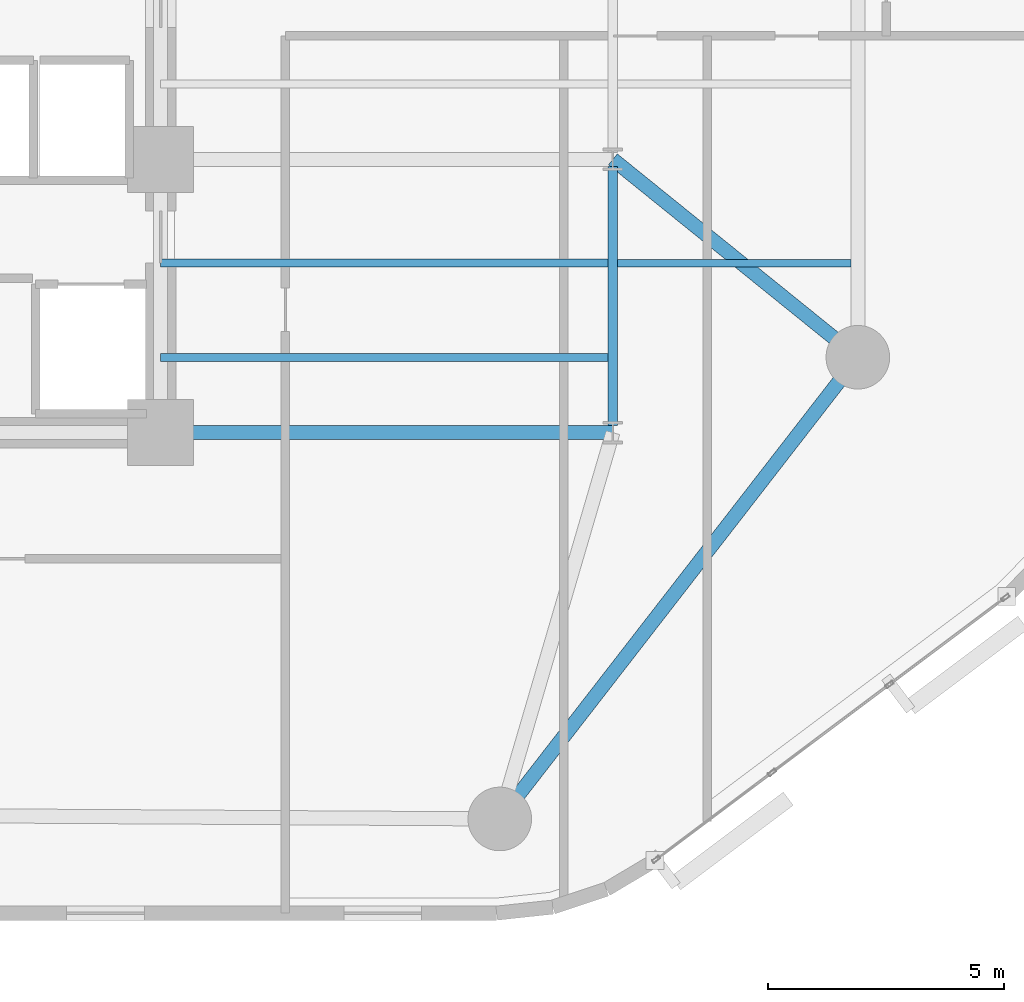
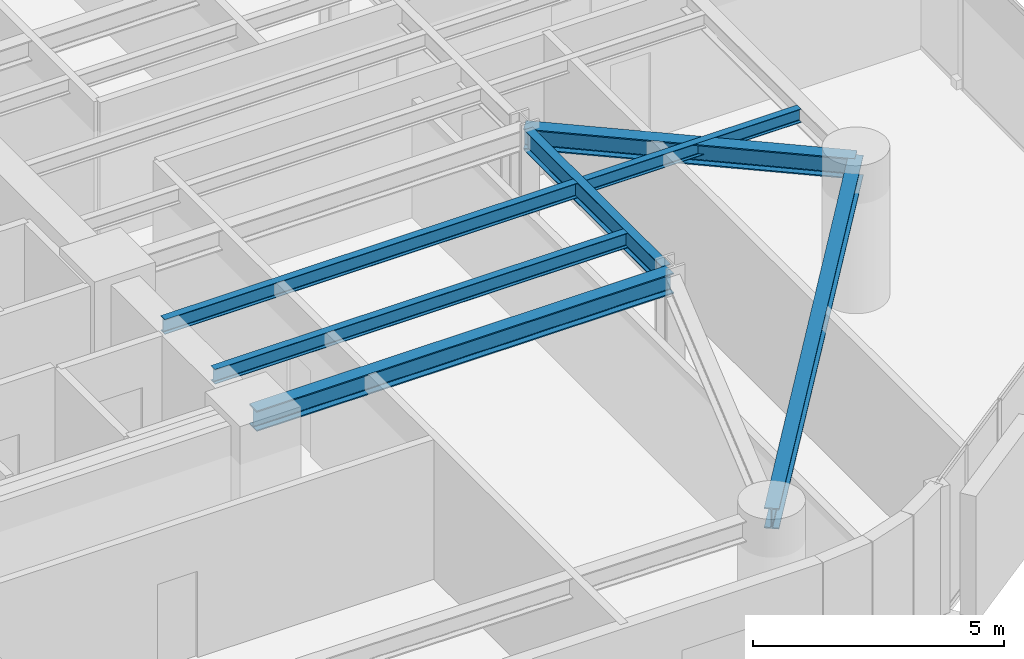
# One storey, part 3 of 16: 7 beams.
"""IFC4 building model written with IfcOpenShell, lengths in metres."""

from ifc_helpers import new_model, si_unit, direction, frame, origin, origin_2d, place, context, subcontext, project, spatial, i_section, extrude, material, material_profile, profile_set, type_object, element, save


model = new_model("IFC4")

# Units and contexts
model_context = context("Model", 3, precision=1e-05, world=origin(), true_north=direction((0.0, 1.0)))
body_context = subcontext(model_context, "Body", "Model", "MODEL_VIEW")
ifc_project = project(units=[si_unit("LENGTHUNIT", "METRE"), si_unit("AREAUNIT", "SQUARE_METRE"), si_unit("VOLUMEUNIT", "CUBIC_METRE"), si_unit("PLANEANGLEUNIT", "RADIAN"), si_unit("MASSUNIT", "GRAM", prefix="KILO")], contexts=[model_context])

# Site, building, storey
site_placement = place(None, origin())
site = spatial("IfcSite", under=ifc_project, at=site_placement, CompositionType="ELEMENT")
building_placement = place(site_placement, origin())
building = spatial("IfcBuilding", under=site, at=building_placement, Name="An Khanh Terracotta Commons", CompositionType="ELEMENT")
storey_placement = place(building_placement, frame((0.0, 0.0, 118.699951171875)))
storey = spatial("IfcBuildingStorey", under=building, at=storey_placement, Name="L31", CompositionType="ELEMENT", Elevation=118.699951171875)

# Beams
ifc_material = material(Name="Steel S355J2", Category="steel")
ifc_material_profile_1 = material_profile(ifc_material, i_section(OverallWidth=0.300048828125, OverallDepth=0.5, WebThickness=0.014404296875, FlangeThickness=0.028076171875, FilletRadius=0.027099609375, at=origin_2d()), Name="HEB500")
ifc_profile_set_1 = profile_set([ifc_material_profile_1], Name="Steel S355J2")
beam_type_1 = type_object("IfcBeamType", Name="BM-HEB500", PredefinedType="BEAM", material=ifc_profile_set_1)
beam_1_placement = place(storey_placement, frame((44.39990234375, 6.199951171875, 3.150146484375), z_axis=(0.612826529795, 0.790217466511, 0.0), x_axis=(-0.790217466511, 0.612826529795, 0.0)))
element("IfcBeam", 1, at=beam_1_placement, inside=storey, type_object=beam_type_1, Name="L31 Perimeter Ring Spandrel 2", PredefinedType="BEAM", context=body_context, shape_type="SweptSolid", body=[
    extrude(i_section(OverallWidth=0.300048828125, OverallDepth=0.5, WebThickness=0.014404296875, FlangeThickness=0.028076171875, FilletRadius=0.027099609375, at=origin_2d()), origin(), (0.0, 0.0, 1.0), 12.401611328125),
])
beam_2_placement = place(storey_placement, frame((37.199951171875, 14.39990234375, 3.150146484375), z_axis=(1.0, 0.0, 0.0), x_axis=(0.0, 1.0, 0.0)))
element("IfcBeam", 2, at=beam_2_placement, inside=storey, type_object=beam_type_1, Name="L31 East Primary Floor Girder 1", PredefinedType="BEAM", context=body_context, shape_type="SweptSolid", body=[
    extrude(i_section(OverallWidth=0.300048828125, OverallDepth=0.5, WebThickness=0.014404296875, FlangeThickness=0.028076171875, FilletRadius=0.027099609375, at=origin_2d()), origin(), (0.0, 0.0, 1.0), 9.60009765625),
])
beam_3_placement = place(storey_placement, frame((52.0, 16.0, 3.150146484375), z_axis=(-0.777941866883, 0.628336256913, 0.0), x_axis=(-0.628336256913, -0.777941866883, 0.0)))
element("IfcBeam", 3, at=beam_3_placement, inside=storey, type_object=beam_type_1, Name="L31 Mega-Column Tie Girder 3", PredefinedType="BEAM", context=body_context, shape_type="SweptSolid", body=[
    extrude(i_section(OverallWidth=0.300048828125, OverallDepth=0.5, WebThickness=0.014404296875, FlangeThickness=0.028076171875, FilletRadius=0.027099609375, at=origin_2d()), origin(), (0.0, 0.0, 1.0), 6.684326171875),
])
ifc_material_profile_2 = material_profile(ifc_material, i_section(OverallWidth=0.159912109375, OverallDepth=0.330078125, WebThickness=0.007568359375, FlangeThickness=0.011474609375, FilletRadius=0.01806640625, at=origin_2d()), Name="IPE330")
ifc_profile_set_2 = profile_set([ifc_material_profile_2], Name="Steel S355J2")
beam_type_2 = type_object("IfcBeamType", Name="BM-IPE330", PredefinedType="JOIST", material=ifc_profile_set_2)
beam_4_placement = place(storey_placement, frame((46.89990234375, 18.0, 3.235107421875), z_axis=(1.0, 0.0, 0.0), x_axis=(0.0, 1.0, 0.0)))
element("IfcBeam", 4, at=beam_4_placement, inside=storey, type_object=beam_type_2, Name="L31 Riverfront Composite Joist 2", PredefinedType="JOIST", context=body_context, shape_type="SweptSolid", body=[
    extrude(i_section(OverallWidth=0.159912109375, OverallDepth=0.330078125, WebThickness=0.007568359375, FlangeThickness=0.011474609375, FilletRadius=0.01806640625, at=origin_2d()), origin(), (0.0, 0.0, 1.0), 4.9501953125),
])
ifc_material_profile_3 = material_profile(ifc_material, i_section(OverallWidth=0.169921875, OverallDepth=0.360107421875, WebThickness=0.008056640625, FlangeThickness=0.0126953125, FilletRadius=0.01806640625, at=origin_2d()), Name="IPE360")
ifc_profile_set_3 = profile_set([ifc_material_profile_3], Name="Steel S355J2")
beam_type_3 = type_object("IfcBeamType", Name="BM-IPE360", PredefinedType="JOIST", material=ifc_profile_set_3)
for number, where, z_axis, x_axis, name in (
    (5, (37.199951171875, 16.0, 3.219970703125), (1.0, 0.0, 0.0), (0.0, 1.0, 0.0), "L31 Inboard Composite Joist 1"),
    (6, (37.199951171875, 18.0, 3.219970703125), (1.0, 0.0, 0.0), (0.0, 1.0, 0.0), "L31 Inboard Composite Joist 2"),
):
    element("IfcBeam", number, at=place(storey_placement, frame(where, z_axis=z_axis, x_axis=x_axis)), inside=storey, type_object=beam_type_3, Name=name, PredefinedType="JOIST", context=body_context, shape_type="SweptSolid", body=[
        extrude(i_section(OverallWidth=0.169921875, OverallDepth=0.360107421875, WebThickness=0.008056640625, FlangeThickness=0.0126953125, FilletRadius=0.01806640625, at=origin_2d()), origin(), (0.0, 0.0, 1.0), 9.5),
    ])
ifc_material_profile_4 = material_profile(ifc_material, i_section(OverallWidth=0.199951171875, OverallDepth=0.5, WebThickness=0.01025390625, FlangeThickness=0.01611328125, FilletRadius=0.02099609375, at=origin_2d()), Name="IPE500")
ifc_profile_set_4 = profile_set([ifc_material_profile_4], Name="Steel S355J2")
beam_type_4 = type_object("IfcBeamType", Name="BM-IPE500", PredefinedType="BEAM", material=ifc_profile_set_4)
beam_5_placement = place(storey_placement, frame((46.800048828125, 14.550048828125, 3.150146484375), z_axis=(0.0, 1.0, 0.0), x_axis=(-1.0, 0.0, 0.0)))
element("IfcBeam", 7, at=beam_5_placement, inside=storey, type_object=beam_type_4, Name="L31 East Spine Girder 1", PredefinedType="BEAM", context=body_context, shape_type="SweptSolid", body=[
    extrude(i_section(OverallWidth=0.199951171875, OverallDepth=0.5, WebThickness=0.01025390625, FlangeThickness=0.01611328125, FilletRadius=0.02099609375, at=origin_2d()), origin(), (0.0, 0.0, 1.0), 5.5),
])

save(model, "model.ifc")
